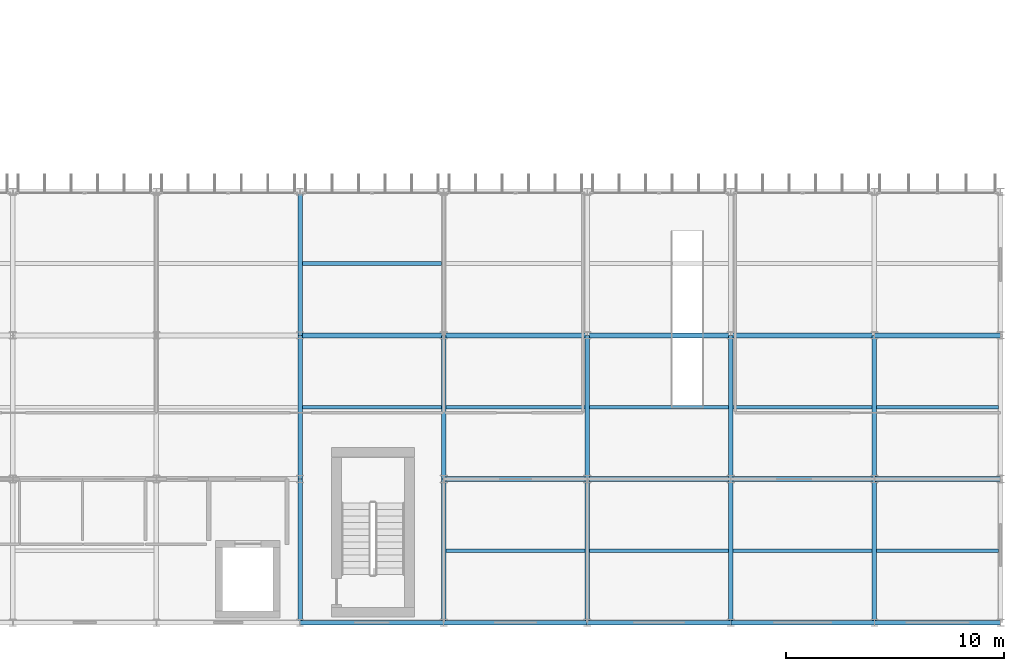
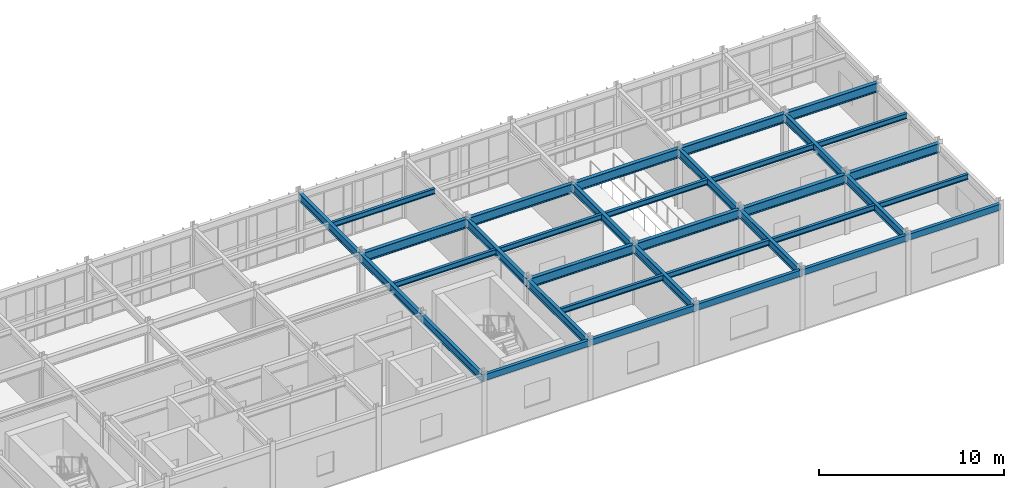
# One storey, part 81 of 130: 35 beams.
"""IFC4 building model written with IfcOpenShell, lengths in metres."""

from ifc_helpers import new_model, si_unit, direction, frame, origin, origin_2d, place, context, subcontext, project, spatial, hollow_rectangle, i_section, extrude, material, material_profile, profile_set, type_object, element, save


model = new_model("IFC4")

# Units and contexts
model_context = context("Model", 3, precision=1e-05, world=origin(), true_north=direction((0.0, 1.0)))
body_context = subcontext(model_context, "Body", "Model", "MODEL_VIEW")
ifc_project = project(units=[si_unit("LENGTHUNIT", "METRE"), si_unit("AREAUNIT", "SQUARE_METRE"), si_unit("VOLUMEUNIT", "CUBIC_METRE"), si_unit("PLANEANGLEUNIT", "RADIAN"), si_unit("MASSUNIT", "GRAM", prefix="KILO")], contexts=[model_context])

# Site, building, storey
site_placement = place(None, origin())
site = spatial("IfcSite", under=ifc_project, at=site_placement, CompositionType="ELEMENT")
building_placement = place(site_placement, origin())
building = spatial("IfcBuilding", under=site, at=building_placement, Name="Karori Crest Natural Sciences Institute", CompositionType="ELEMENT")
storey_placement = place(building_placement, frame((0.0, 0.0, 17.5)))
storey = spatial("IfcBuildingStorey", under=building, at=storey_placement, Name="L04", CompositionType="ELEMENT", Elevation=17.5)

# Beams
ifc_material_1 = material(Name="Structural steel AS/NZS 3679.1 Grade 350", Category="steel")
ifc_material_profile_1 = material_profile(ifc_material_1, i_section(OverallWidth=0.22900390625, OverallDepth=0.612060546875, WebThickness=0.011962890625, FlangeThickness=0.01953125, FilletRadius=0.013916015625, at=origin_2d()), Name="610UB125")
ifc_profile_set_1 = profile_set([ifc_material_profile_1], Name="Structural steel AS/NZS 3679.1 Grade 350")
beam_type_1 = type_object("IfcBeamType", Name="BT-04", PredefinedType="BEAM", material=ifc_profile_set_1)
beam_1_placement = place(storey_placement, frame((136.60009765625, 7.39990234375, 3.614013671875), z_axis=(1.0, 0.0, 0.0), x_axis=(0.0, 1.0, 0.0)))
element("IfcBeam", 1, at=beam_1_placement, inside=storey, type_object=beam_type_1, Name="Beam B-2379", PredefinedType="BEAM", context=body_context, shape_type="SweptSolid", body=[
    extrude(i_section(OverallWidth=0.22900390625, OverallDepth=0.612060546875, WebThickness=0.011962890625, FlangeThickness=0.01953125, FilletRadius=0.013916015625, at=origin_2d()), origin(), (0.0, 0.0, 1.0), 6.599853515625),
])
beam_2_placement = place(storey_placement, frame((143.199951171875, 7.39990234375, 3.614013671875), z_axis=(1.0, 0.0, 0.0), x_axis=(0.0, 1.0, 0.0)))
element("IfcBeam", 2, at=beam_2_placement, inside=storey, type_object=beam_type_1, Name="Beam B-2380", PredefinedType="BEAM", context=body_context, shape_type="SweptSolid", body=[
    extrude(i_section(OverallWidth=0.22900390625, OverallDepth=0.612060546875, WebThickness=0.011962890625, FlangeThickness=0.01953125, FilletRadius=0.013916015625, at=origin_2d()), origin(), (0.0, 0.0, 1.0), 6.60009765625),
])
beam_3_placement = place(storey_placement, frame((149.800048828125, 7.39990234375, 3.614013671875), z_axis=(1.0, 0.0, 0.0), x_axis=(0.0, 1.0, 0.0)))
element("IfcBeam", 3, at=beam_3_placement, inside=storey, type_object=beam_type_1, Name="Beam B-2381", PredefinedType="BEAM", context=body_context, shape_type="SweptSolid", body=[
    extrude(i_section(OverallWidth=0.22900390625, OverallDepth=0.612060546875, WebThickness=0.011962890625, FlangeThickness=0.01953125, FilletRadius=0.013916015625, at=origin_2d()), origin(), (0.0, 0.0, 1.0), 6.599853515625),
])
beam_4_placement = place(storey_placement, frame((156.39990234375, 7.39990234375, 3.614013671875), z_axis=(1.0, 0.0, 0.0), x_axis=(0.0, 1.0, 0.0)))
element("IfcBeam", 4, at=beam_4_placement, inside=storey, type_object=beam_type_1, Name="Beam B-2382", PredefinedType="BEAM", context=body_context, shape_type="SweptSolid", body=[
    extrude(i_section(OverallWidth=0.22900390625, OverallDepth=0.612060546875, WebThickness=0.011962890625, FlangeThickness=0.01953125, FilletRadius=0.013916015625, at=origin_2d()), origin(), (0.0, 0.0, 1.0), 5.800048828125),
])
beam_5_placement = place(storey_placement, frame((130.0, 14.0, 3.614013671875), z_axis=(1.0, 0.0, 0.0), x_axis=(0.0, 1.0, 0.0)))
element("IfcBeam", 5, at=beam_5_placement, inside=storey, type_object=beam_type_1, Name="Beam B-2387", PredefinedType="BEAM", context=body_context, shape_type="SweptSolid", body=[
    extrude(i_section(OverallWidth=0.22900390625, OverallDepth=0.612060546875, WebThickness=0.011962890625, FlangeThickness=0.01953125, FilletRadius=0.013916015625, at=origin_2d()), origin(), (0.0, 0.0, 1.0), 6.60009765625),
])
beam_6_placement = place(storey_placement, frame((136.60009765625, 14.0, 3.614013671875), z_axis=(1.0, 0.0, 0.0), x_axis=(0.0, 1.0, 0.0)))
element("IfcBeam", 6, at=beam_6_placement, inside=storey, type_object=beam_type_1, Name="Beam B-2388", PredefinedType="BEAM", context=body_context, shape_type="SweptSolid", body=[
    extrude(i_section(OverallWidth=0.22900390625, OverallDepth=0.612060546875, WebThickness=0.011962890625, FlangeThickness=0.01953125, FilletRadius=0.013916015625, at=origin_2d()), origin(), (0.0, 0.0, 1.0), 6.599853515625),
])
beam_7_placement = place(storey_placement, frame((143.199951171875, 14.0, 3.614013671875), z_axis=(1.0, 0.0, 0.0), x_axis=(0.0, 1.0, 0.0)))
element("IfcBeam", 7, at=beam_7_placement, inside=storey, type_object=beam_type_1, Name="Beam B-2389", PredefinedType="BEAM", context=body_context, shape_type="SweptSolid", body=[
    extrude(i_section(OverallWidth=0.22900390625, OverallDepth=0.612060546875, WebThickness=0.011962890625, FlangeThickness=0.01953125, FilletRadius=0.013916015625, at=origin_2d()), origin(), (0.0, 0.0, 1.0), 6.60009765625),
])
beam_8_placement = place(storey_placement, frame((149.800048828125, 14.0, 3.614013671875), z_axis=(1.0, 0.0, 0.0), x_axis=(0.0, 1.0, 0.0)))
element("IfcBeam", 8, at=beam_8_placement, inside=storey, type_object=beam_type_1, Name="Beam B-2390", PredefinedType="BEAM", context=body_context, shape_type="SweptSolid", body=[
    extrude(i_section(OverallWidth=0.22900390625, OverallDepth=0.612060546875, WebThickness=0.011962890625, FlangeThickness=0.01953125, FilletRadius=0.013916015625, at=origin_2d()), origin(), (0.0, 0.0, 1.0), 6.599853515625),
])
beam_9_placement = place(storey_placement, frame((156.39990234375, 14.0, 3.614013671875), z_axis=(1.0, 0.0, 0.0), x_axis=(0.0, 1.0, 0.0)))
element("IfcBeam", 9, at=beam_9_placement, inside=storey, type_object=beam_type_1, Name="Beam B-2391", PredefinedType="BEAM", context=body_context, shape_type="SweptSolid", body=[
    extrude(i_section(OverallWidth=0.22900390625, OverallDepth=0.612060546875, WebThickness=0.011962890625, FlangeThickness=0.01953125, FilletRadius=0.013916015625, at=origin_2d()), origin(), (0.0, 0.0, 1.0), 5.800048828125),
])
ifc_material_profile_2 = material_profile(ifc_material_1, i_section(OverallWidth=0.208984375, OverallDepth=0.532958984375, WebThickness=0.01025390625, FlangeThickness=0.015625, FilletRadius=0.013916015625, at=origin_2d()), Name="530UB92.4")
ifc_profile_set_2 = profile_set([ifc_material_profile_2], Name="Structural steel AS/NZS 3679.1 Grade 350")
beam_type_2 = type_object("IfcBeamType", Name="BT-05", PredefinedType="BEAM", material=ifc_profile_set_2)
beam_10_placement = place(storey_placement, frame((130.0, 0.800048828125, 3.653564453125), z_axis=(0.0, 1.0, 0.0), x_axis=(-1.0, 0.0, 0.0)))
element("IfcBeam", 10, at=beam_10_placement, inside=storey, type_object=beam_type_2, Name="Beam B-2413", PredefinedType="BEAM", context=body_context, shape_type="SweptSolid", body=[
    extrude(i_section(OverallWidth=0.208984375, OverallDepth=0.532958984375, WebThickness=0.01025390625, FlangeThickness=0.015625, FilletRadius=0.013916015625, at=origin_2d()), origin(), (0.0, 0.0, 1.0), 6.599853515625),
])
for number, where, z_axis, x_axis, name in (
    (11, (130.0, 7.39990234375, 3.653564453125), (0.0, 1.0, 0.0), (-1.0, 0.0, 0.0), "Beam B-2414"),
    (12, (130.0, 14.0, 3.653564453125), (0.0, 1.0, 0.0), (-1.0, 0.0, 0.0), "Beam B-2415"),
):
    element("IfcBeam", number, at=place(storey_placement, frame(where, z_axis=z_axis, x_axis=x_axis)), inside=storey, type_object=beam_type_2, Name=name, PredefinedType="BEAM", context=body_context, shape_type="SweptSolid", body=[
        extrude(i_section(OverallWidth=0.208984375, OverallDepth=0.532958984375, WebThickness=0.01025390625, FlangeThickness=0.015625, FilletRadius=0.013916015625, at=origin_2d()), origin(), (0.0, 0.0, 1.0), 6.60009765625),
    ])
beam_11_placement = place(storey_placement, frame((136.60009765625, 0.800048828125, 3.653564453125), z_axis=(0.0, 1.0, 0.0), x_axis=(-1.0, 0.0, 0.0)))
element("IfcBeam", 13, at=beam_11_placement, inside=storey, type_object=beam_type_2, Name="Beam B-2416", PredefinedType="BEAM", context=body_context, shape_type="SweptSolid", body=[
    extrude(i_section(OverallWidth=0.208984375, OverallDepth=0.532958984375, WebThickness=0.01025390625, FlangeThickness=0.015625, FilletRadius=0.013916015625, at=origin_2d()), origin(), (0.0, 0.0, 1.0), 6.599853515625),
])
beam_12_placement = place(storey_placement, frame((136.60009765625, 7.39990234375, 3.653564453125), z_axis=(0.0, 1.0, 0.0), x_axis=(-1.0, 0.0, 0.0)))
element("IfcBeam", 14, at=beam_12_placement, inside=storey, type_object=beam_type_2, Name="Beam B-2417", PredefinedType="BEAM", context=body_context, shape_type="SweptSolid", body=[
    extrude(i_section(OverallWidth=0.208984375, OverallDepth=0.532958984375, WebThickness=0.01025390625, FlangeThickness=0.015625, FilletRadius=0.013916015625, at=origin_2d()), origin(), (0.0, 0.0, 1.0), 6.60009765625),
])
beam_13_placement = place(storey_placement, frame((143.199951171875, 0.800048828125, 3.653564453125), z_axis=(0.0, 1.0, 0.0), x_axis=(-1.0, 0.0, 0.0)))
element("IfcBeam", 15, at=beam_13_placement, inside=storey, type_object=beam_type_2, Name="Beam B-2419", PredefinedType="BEAM", context=body_context, shape_type="SweptSolid", body=[
    extrude(i_section(OverallWidth=0.208984375, OverallDepth=0.532958984375, WebThickness=0.01025390625, FlangeThickness=0.015625, FilletRadius=0.013916015625, at=origin_2d()), origin(), (0.0, 0.0, 1.0), 6.599853515625),
])
beam_14_placement = place(storey_placement, frame((143.199951171875, 7.39990234375, 3.653564453125), z_axis=(0.0, 1.0, 0.0), x_axis=(-1.0, 0.0, 0.0)))
element("IfcBeam", 16, at=beam_14_placement, inside=storey, type_object=beam_type_2, Name="Beam B-2420", PredefinedType="BEAM", context=body_context, shape_type="SweptSolid", body=[
    extrude(i_section(OverallWidth=0.208984375, OverallDepth=0.532958984375, WebThickness=0.01025390625, FlangeThickness=0.015625, FilletRadius=0.013916015625, at=origin_2d()), origin(), (0.0, 0.0, 1.0), 6.60009765625),
])
beam_15_placement = place(storey_placement, frame((149.800048828125, 0.800048828125, 3.653564453125), z_axis=(0.0, 1.0, 0.0), x_axis=(-1.0, 0.0, 0.0)))
element("IfcBeam", 17, at=beam_15_placement, inside=storey, type_object=beam_type_2, Name="Beam B-2422", PredefinedType="BEAM", context=body_context, shape_type="SweptSolid", body=[
    extrude(i_section(OverallWidth=0.208984375, OverallDepth=0.532958984375, WebThickness=0.01025390625, FlangeThickness=0.015625, FilletRadius=0.013916015625, at=origin_2d()), origin(), (0.0, 0.0, 1.0), 6.599853515625),
])
beam_16_placement = place(storey_placement, frame((149.800048828125, 7.39990234375, 3.653564453125), z_axis=(0.0, 1.0, 0.0), x_axis=(-1.0, 0.0, 0.0)))
element("IfcBeam", 18, at=beam_16_placement, inside=storey, type_object=beam_type_2, Name="Beam B-2423", PredefinedType="BEAM", context=body_context, shape_type="SweptSolid", body=[
    extrude(i_section(OverallWidth=0.208984375, OverallDepth=0.532958984375, WebThickness=0.01025390625, FlangeThickness=0.015625, FilletRadius=0.013916015625, at=origin_2d()), origin(), (0.0, 0.0, 1.0), 6.60009765625),
])
beam_17_placement = place(storey_placement, frame((156.39990234375, 0.800048828125, 3.653564453125), z_axis=(0.0, 1.0, 0.0), x_axis=(-1.0, 0.0, 0.0)))
element("IfcBeam", 19, at=beam_17_placement, inside=storey, type_object=beam_type_2, Name="Beam B-2425", PredefinedType="BEAM", context=body_context, shape_type="SweptSolid", body=[
    extrude(i_section(OverallWidth=0.208984375, OverallDepth=0.532958984375, WebThickness=0.01025390625, FlangeThickness=0.015625, FilletRadius=0.013916015625, at=origin_2d()), origin(), (0.0, 0.0, 1.0), 6.599853515625),
])
beam_18_placement = place(storey_placement, frame((156.39990234375, 7.39990234375, 3.653564453125), z_axis=(0.0, 1.0, 0.0), x_axis=(-1.0, 0.0, 0.0)))
element("IfcBeam", 20, at=beam_18_placement, inside=storey, type_object=beam_type_2, Name="Beam B-2426", PredefinedType="BEAM", context=body_context, shape_type="SweptSolid", body=[
    extrude(i_section(OverallWidth=0.208984375, OverallDepth=0.532958984375, WebThickness=0.01025390625, FlangeThickness=0.015625, FilletRadius=0.013916015625, at=origin_2d()), origin(), (0.0, 0.0, 1.0), 6.60009765625),
])
ifc_material_profile_3 = material_profile(ifc_material_1, i_section(OverallWidth=0.172119140625, OverallDepth=0.35888671875, WebThickness=0.008056640625, FlangeThickness=0.012939453125, FilletRadius=0.010986328125, at=origin_2d()), Name="360UB56.7")
ifc_profile_set_3 = profile_set([ifc_material_profile_3], Name="Structural steel AS/NZS 3679.1 Grade 350")
beam_type_3 = type_object("IfcBeamType", Name="BT-08", PredefinedType="BEAM", material=ifc_profile_set_3)
for number, where, z_axis, x_axis, name in (
    (21, (130.1044921875, 10.699951171875, 3.740478515625), (1.0, 0.0, 0.0), (0.0, 1.0, 0.0), "Beam B-2440"),
    (22, (130.1044921875, 17.300048828125, 3.740478515625), (1.0, 0.0, 0.0), (0.0, 1.0, 0.0), "Beam B-2441"),
):
    element("IfcBeam", number, at=place(storey_placement, frame(where, z_axis=z_axis, x_axis=x_axis)), inside=storey, type_object=beam_type_3, Name=name, PredefinedType="BEAM", context=body_context, shape_type="SweptSolid", body=[
        extrude(i_section(OverallWidth=0.172119140625, OverallDepth=0.35888671875, WebThickness=0.008056640625, FlangeThickness=0.012939453125, FilletRadius=0.010986328125, at=origin_2d()), origin(), (0.0, 0.0, 1.0), 6.39111328125),
    ])
for number, where, z_axis, x_axis, name in (
    (23, (136.70458984375, 4.10009765625, 3.740478515625), (1.0, 0.0, 0.0), (0.0, 1.0, 0.0), "Beam B-2442"),
    (24, (136.70458984375, 10.699951171875, 3.740478515625), (1.0, 0.0, 0.0), (0.0, 1.0, 0.0), "Beam B-2443"),
):
    element("IfcBeam", number, at=place(storey_placement, frame(where, z_axis=z_axis, x_axis=x_axis)), inside=storey, type_object=beam_type_3, Name=name, PredefinedType="BEAM", context=body_context, shape_type="SweptSolid", body=[
        extrude(i_section(OverallWidth=0.172119140625, OverallDepth=0.35888671875, WebThickness=0.008056640625, FlangeThickness=0.012939453125, FilletRadius=0.010986328125, at=origin_2d()), origin(), (0.0, 0.0, 1.0), 6.390869140625),
    ])
for number, where, z_axis, x_axis, name in (
    (25, (143.304443359375, 4.10009765625, 3.740478515625), (1.0, 0.0, 0.0), (0.0, 1.0, 0.0), "Beam B-2445"),
    (26, (143.304443359375, 10.699951171875, 3.740478515625), (1.0, 0.0, 0.0), (0.0, 1.0, 0.0), "Beam B-2446"),
):
    element("IfcBeam", number, at=place(storey_placement, frame(where, z_axis=z_axis, x_axis=x_axis)), inside=storey, type_object=beam_type_3, Name=name, PredefinedType="BEAM", context=body_context, shape_type="SweptSolid", body=[
        extrude(i_section(OverallWidth=0.172119140625, OverallDepth=0.35888671875, WebThickness=0.008056640625, FlangeThickness=0.012939453125, FilletRadius=0.010986328125, at=origin_2d()), origin(), (0.0, 0.0, 1.0), 6.39111328125),
    ])
for number, where, z_axis, x_axis, name in (
    (27, (149.904541015625, 4.10009765625, 3.740478515625), (1.0, 0.0, 0.0), (0.0, 1.0, 0.0), "Beam B-2448"),
    (28, (149.904541015625, 10.699951171875, 3.740478515625), (1.0, 0.0, 0.0), (0.0, 1.0, 0.0), "Beam B-2449"),
):
    element("IfcBeam", number, at=place(storey_placement, frame(where, z_axis=z_axis, x_axis=x_axis)), inside=storey, type_object=beam_type_3, Name=name, PredefinedType="BEAM", context=body_context, shape_type="SweptSolid", body=[
        extrude(i_section(OverallWidth=0.172119140625, OverallDepth=0.35888671875, WebThickness=0.008056640625, FlangeThickness=0.012939453125, FilletRadius=0.010986328125, at=origin_2d()), origin(), (0.0, 0.0, 1.0), 6.390869140625),
    ])
for number, where, z_axis, x_axis, name in (
    (29, (156.50439453125, 4.10009765625, 3.740478515625), (1.0, 0.0, 0.0), (0.0, 1.0, 0.0), "Beam B-2451"),
    (30, (156.50439453125, 10.699951171875, 3.740478515625), (1.0, 0.0, 0.0), (0.0, 1.0, 0.0), "Beam B-2452"),
):
    element("IfcBeam", number, at=place(storey_placement, frame(where, z_axis=z_axis, x_axis=x_axis)), inside=storey, type_object=beam_type_3, Name=name, PredefinedType="BEAM", context=body_context, shape_type="SweptSolid", body=[
        extrude(i_section(OverallWidth=0.172119140625, OverallDepth=0.35888671875, WebThickness=0.008056640625, FlangeThickness=0.012939453125, FilletRadius=0.010986328125, at=origin_2d()), origin(), (0.0, 0.0, 1.0), 5.591064453125),
    ])
ifc_material_2 = material(Name="Hollow structural steel AS/NZS 1163 Grade C350", Category="steel")
ifc_material_profile_4 = material_profile(ifc_material_2, hollow_rectangle(XDim=0.199951171875, YDim=0.39990234375, WallThickness=0.012451171875, at=origin_2d()), Name="RHS400x200x12.5")
ifc_profile_set_4 = profile_set([ifc_material_profile_4], Name="Hollow structural steel AS/NZS 1163 Grade C350")
beam_type_4 = type_object("IfcBeamType", Name="BT-14", PredefinedType="SPANDREL", material=ifc_profile_set_4)
beam_19_placement = place(storey_placement, frame((130.0, 0.800048828125, 3.719970703125), z_axis=(1.0, 0.0, 0.0), x_axis=(0.0, 1.0, 0.0)))
element("IfcBeam", 31, at=beam_19_placement, inside=storey, type_object=beam_type_4, Name="Beam B-2371", PredefinedType="SPANDREL", context=body_context, shape_type="SweptSolid", body=[
    extrude(hollow_rectangle(XDim=0.199951171875, YDim=0.39990234375, WallThickness=0.012451171875, at=origin_2d()), origin(), (0.0, 0.0, 1.0), 6.60009765625),
])
beam_20_placement = place(storey_placement, frame((136.60009765625, 0.800048828125, 3.719970703125), z_axis=(1.0, 0.0, 0.0), x_axis=(0.0, 1.0, 0.0)))
element("IfcBeam", 32, at=beam_20_placement, inside=storey, type_object=beam_type_4, Name="Beam B-2372", PredefinedType="SPANDREL", context=body_context, shape_type="SweptSolid", body=[
    extrude(hollow_rectangle(XDim=0.199951171875, YDim=0.39990234375, WallThickness=0.012451171875, at=origin_2d()), origin(), (0.0, 0.0, 1.0), 6.599853515625),
])
beam_21_placement = place(storey_placement, frame((143.199951171875, 0.800048828125, 3.719970703125), z_axis=(1.0, 0.0, 0.0), x_axis=(0.0, 1.0, 0.0)))
element("IfcBeam", 33, at=beam_21_placement, inside=storey, type_object=beam_type_4, Name="Beam B-2373", PredefinedType="SPANDREL", context=body_context, shape_type="SweptSolid", body=[
    extrude(hollow_rectangle(XDim=0.199951171875, YDim=0.39990234375, WallThickness=0.012451171875, at=origin_2d()), origin(), (0.0, 0.0, 1.0), 6.60009765625),
])
beam_22_placement = place(storey_placement, frame((149.800048828125, 0.800048828125, 3.719970703125), z_axis=(1.0, 0.0, 0.0), x_axis=(0.0, 1.0, 0.0)))
element("IfcBeam", 34, at=beam_22_placement, inside=storey, type_object=beam_type_4, Name="Beam B-2374", PredefinedType="SPANDREL", context=body_context, shape_type="SweptSolid", body=[
    extrude(hollow_rectangle(XDim=0.199951171875, YDim=0.39990234375, WallThickness=0.012451171875, at=origin_2d()), origin(), (0.0, 0.0, 1.0), 6.599853515625),
])
beam_23_placement = place(storey_placement, frame((156.39990234375, 0.800048828125, 3.719970703125), z_axis=(1.0, 0.0, 0.0), x_axis=(0.0, 1.0, 0.0)))
element("IfcBeam", 35, at=beam_23_placement, inside=storey, type_object=beam_type_4, Name="Beam B-2375", PredefinedType="SPANDREL", context=body_context, shape_type="SweptSolid", body=[
    extrude(hollow_rectangle(XDim=0.199951171875, YDim=0.39990234375, WallThickness=0.012451171875, at=origin_2d()), origin(), (0.0, 0.0, 1.0), 5.800048828125),
])

save(model, "model.ifc")
